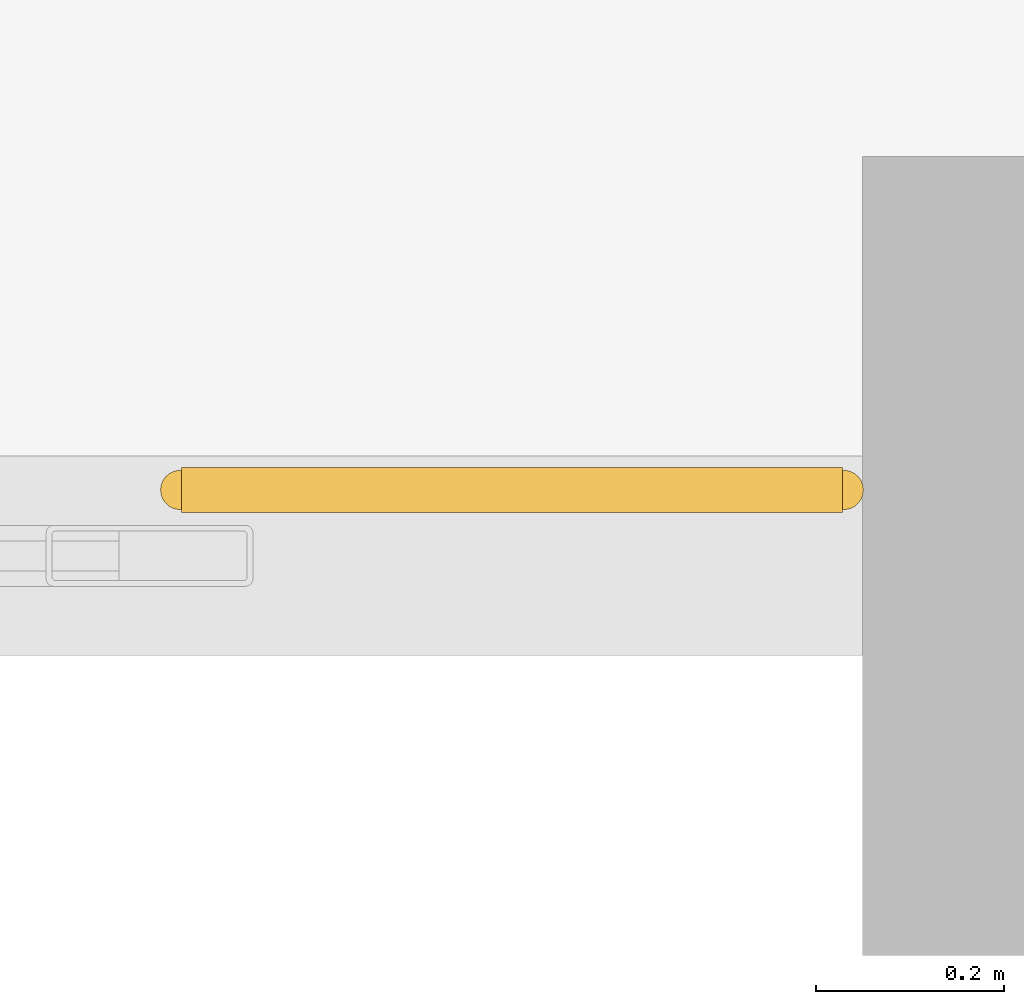
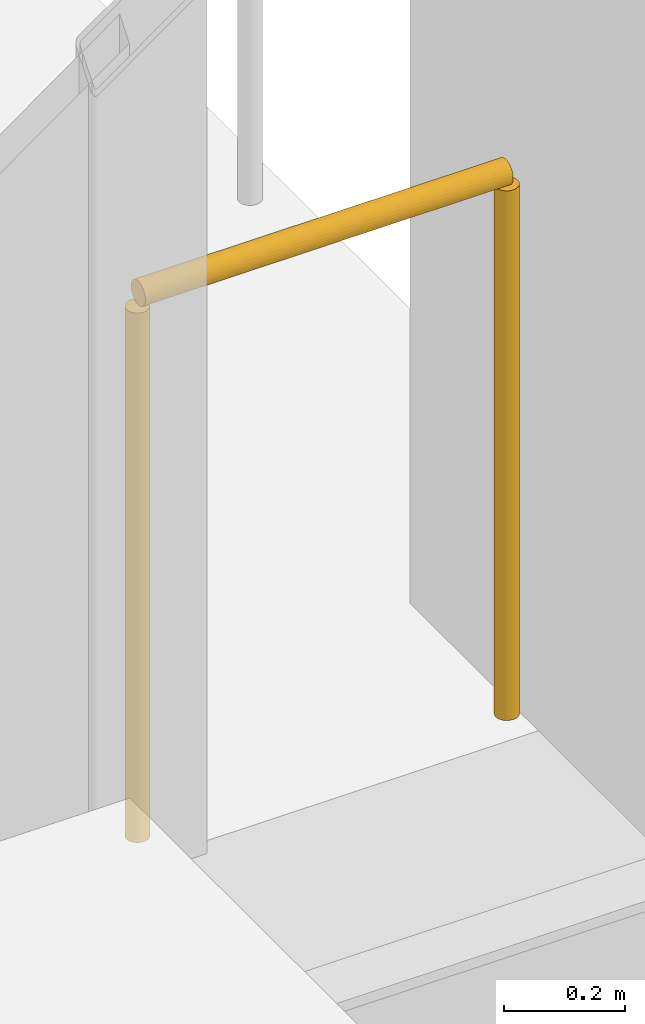
# One storey, part 45 of 49: 1 railing.
"""IFC4 building model written with IfcOpenShell, lengths in metres."""

from ifc_helpers import new_model, si_unit, direction, frame, origin, origin_2d, place, context, subcontext, project, spatial, circle, extrude, material, type_object, element, save


model = new_model("IFC4")

# Units and contexts
model_context = context("Model", 3, precision=1e-05, world=origin(), true_north=direction((0.0, 1.0)))
body_context = subcontext(model_context, "Body", "Model", "MODEL_VIEW")
ifc_project = project(units=[si_unit("LENGTHUNIT", "METRE"), si_unit("AREAUNIT", "SQUARE_METRE"), si_unit("VOLUMEUNIT", "CUBIC_METRE"), si_unit("PLANEANGLEUNIT", "RADIAN"), si_unit("MASSUNIT", "GRAM", prefix="KILO")], contexts=[model_context])

# Site, building, storey
site_placement = place(None, origin())
site = spatial("IfcSite", under=ifc_project, at=site_placement, CompositionType="ELEMENT")
building_placement = place(site_placement, origin())
building = spatial("IfcBuilding", under=site, at=building_placement, Name="Brinegate Civic Arena", CompositionType="ELEMENT")
storey_placement = place(building_placement, frame((0.0, 0.0, 24.60009765625)))
storey = spatial("IfcBuildingStorey", under=building, at=storey_placement, Name="L05", CompositionType="ELEMENT", Elevation=24.60009765625)

# Railing
ifc_material = material(Name="Architectural stainless steel balustrade", Category="steel")
railing_type = type_object("IfcRailingType", Name="RAIL-VOID-BALUSTRADE-1120", PredefinedType="BALUSTRADE", material=ifc_material)
railing_placement = place(storey_placement, frame((119.554931640625, 10.070068359375, 0.0)))
element("IfcRailing", 1, at=railing_placement, inside=storey, type_object=railing_type, Name="Deck Edge Balustrade L05-433", PredefinedType="BALUSTRADE", context=body_context, shape_type="SweptSolid", body=[
    extrude(circle(Radius=0.02392578125, at=origin_2d()), frame((-0.00146484375, 0.0, 1.09619140625), z_axis=(-1.0, 0.0, 0.0), x_axis=(0.0, -1.0, 0.0)), (0.0, 0.0, 1.0), 0.702880859375),
    extrude(circle(Radius=0.02099609375, at=origin_2d()), origin(), (0.0, 0.0, 1.0), 1.070068359375),
    extrude(circle(Radius=0.02099609375, at=origin_2d()), frame((-0.705810546875, 0.0, 0.0)), (0.0, 0.0, 1.0), 1.070068359375),
])

save(model, "model.ifc")
